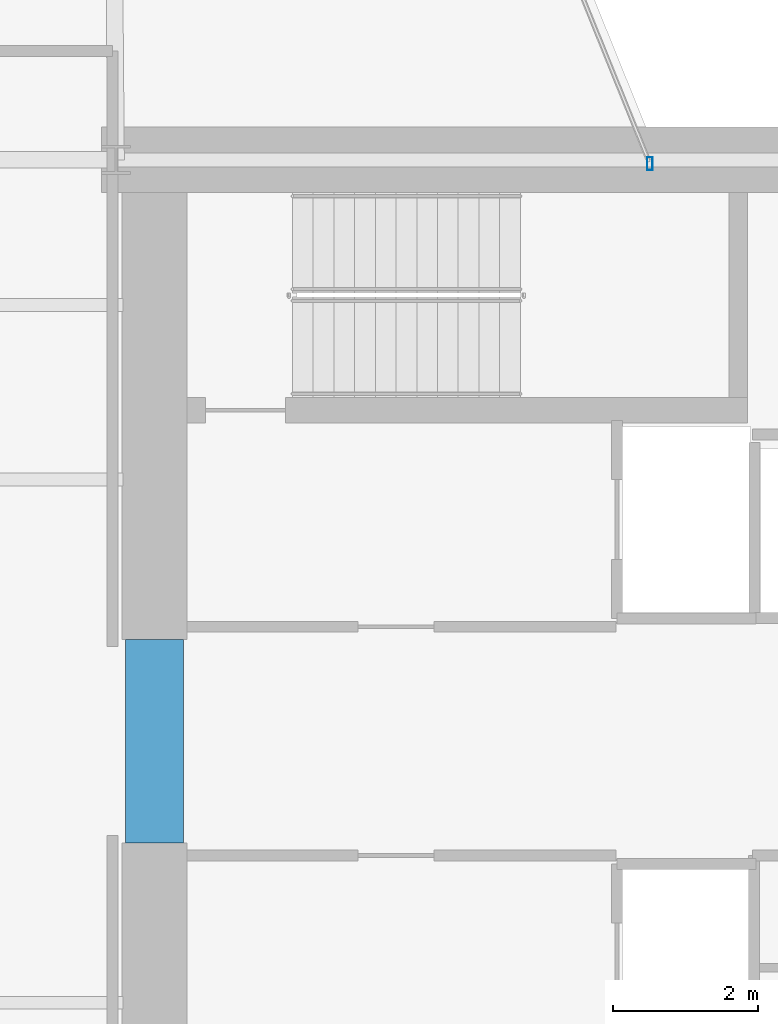
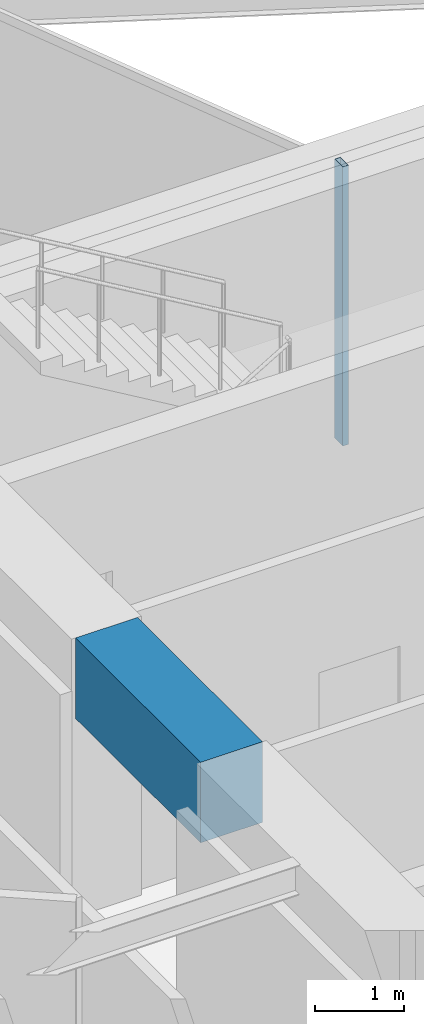
# One storey, part 17 of 30: 1 beam, 1 member, 1 element without a shape of its own.
"""IFC4 building model written with IfcOpenShell, lengths in metres."""

from ifc_helpers import new_model, si_unit, direction, frame, origin, origin_2d, place, context, subcontext, project, spatial, rectangle, hollow_rectangle, extrude, material, layer, layer_set, material_profile, profile_set, type_object, element, aggregate, save


model = new_model("IFC4")

# Units and contexts
model_context = context("Model", 3, precision=1e-05, world=origin(), true_north=direction((0.0, 1.0)))
body_context = subcontext(model_context, "Body", "Model", "MODEL_VIEW")
ifc_project = project(units=[si_unit("LENGTHUNIT", "METRE"), si_unit("AREAUNIT", "SQUARE_METRE"), si_unit("VOLUMEUNIT", "CUBIC_METRE"), si_unit("PLANEANGLEUNIT", "RADIAN"), si_unit("MASSUNIT", "GRAM", prefix="KILO")], contexts=[model_context])

# Site, building, storey
site_placement = place(None, origin())
site = spatial("IfcSite", under=ifc_project, at=site_placement, CompositionType="ELEMENT")
building_placement = place(site_placement, origin())
building = spatial("IfcBuilding", under=site, at=building_placement, Name="Veymaron Broadcast Tower", CompositionType="ELEMENT")
storey_placement = place(building_placement, frame((0.0, 0.0, 66.14990234375)))
storey = spatial("IfcBuildingStorey", under=building, at=storey_placement, Name="L14", CompositionType="ELEMENT", Elevation=66.14990234375)

# Beam
ifc_material_1 = material(Name="Concrete C70/85", Category="concrete")
ifc_material_profile_1 = material_profile(ifc_material_1, rectangle(XDim=0.800048828125, YDim=1.10009765625, at=origin_2d()), Name="RC800X1100")
ifc_profile_set_1 = profile_set([ifc_material_profile_1], Name="Concrete C70/85")
beam_type = type_object("IfcBeamType", Name="BM-CB1", PredefinedType="LINTEL", material=ifc_profile_set_1)
beam_placement = place(storey_placement, frame((39.530029296875, 22.60009765625, 3.260009765625), z_axis=(0.0, 1.0, 0.0), x_axis=(-1.0, 0.0, 0.0)))
element("IfcBeam", 1, at=beam_placement, inside=storey, type_object=beam_type, Name="L14 Core Wall west coupling beam", PredefinedType="LINTEL", context=body_context, shape_type="SweptSolid", body=[
    extrude(rectangle(XDim=0.800048828125, YDim=1.10009765625, at=origin_2d()), origin(), (0.0, 0.0, 1.0), 2.7998046875),
])

# Curtain wall, member
ifc_material_2 = material(Name="Anodised aluminium AA 6063-T6 and laminated low-E dark glass", Category="aluminium")
ifc_layer = layer(ifc_material_2, 0.179931640625)
ifc_layer_set = layer_set([ifc_layer], Name="Anodised aluminium AA 6063-T6 and laminated low-E dark glass")
curtain_wall_type = type_object("IfcCurtainWallType", Name="CW-SYS-02", PredefinedType="NOTDEFINED", material=ifc_layer_set)
curtain_wall_placement = place(storey_placement, origin())
curtain_wall = element("IfcCurtainWall", 2, at=curtain_wall_placement, inside=storey, type_object=curtain_wall_type, Name="L14 dark-glass curtain wall CW-L14-E5-1", PredefinedType="NOTDEFINED")
ifc_material_3 = material(Name="Anodised aluminium AA 6063-T6", Category="aluminium")
ifc_material_profile_2 = material_profile(ifc_material_3, hollow_rectangle(XDim=0.074951171875, YDim=0.179931640625, WallThickness=0.0048828125, at=origin_2d()), Name="AL180X75X5")
ifc_profile_set_2 = profile_set([ifc_material_profile_2], Name="Anodised aluminium AA 6063-T6")
member_type = type_object("IfcMemberType", Name="CW-MUL-02", PredefinedType="MULLION", material=ifc_profile_set_2)
member_placement = place(storey_placement, frame((46.346923828125, 31.947509765625, 0.0), z_axis=(0.0, 0.0, 1.0), x_axis=(1.0, 0.0, 0.0)))
member = element("IfcMember", 3, at=member_placement, type_object=member_type, Name="CW-L14-E5-1 mullion 0", PredefinedType="MULLION", context=body_context, shape_type="SweptSolid", body=[
    extrude(hollow_rectangle(XDim=0.074951171875, YDim=0.179931640625, WallThickness=0.0048828125, at=origin_2d()), origin(), (0.0, 0.0, 1.0), 3.81005859375),
])
aggregate(curtain_wall, [member])

save(model, "model.ifc")
